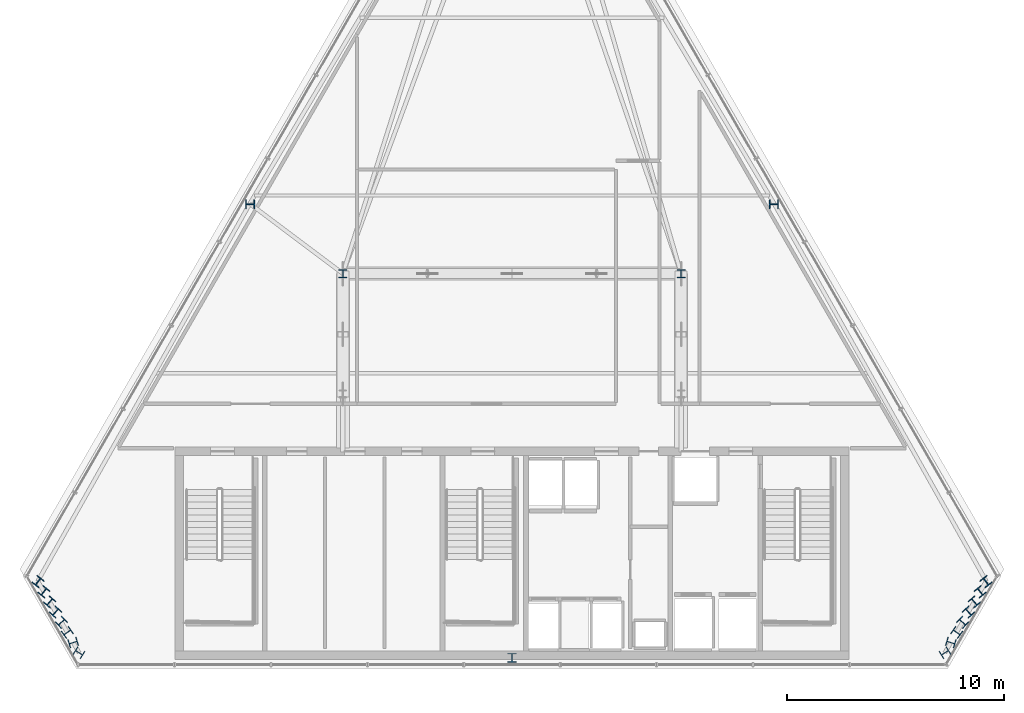
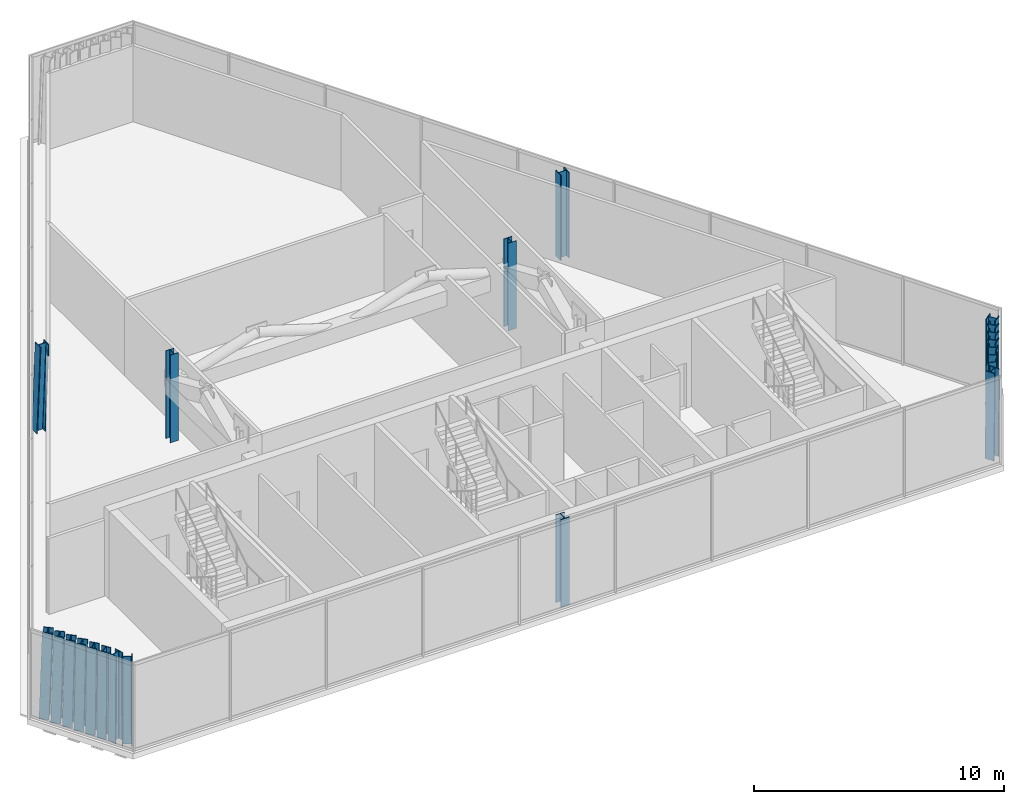
# One storey, part 1 of 32: 21 columns.
"""IFC4 building model written with IfcOpenShell, lengths in metres."""

from ifc_helpers import new_model, si_unit, direction, frame, origin, origin_2d, place, context, subcontext, project, spatial, i_section, extrude, material, material_profile, profile_set, type_object, element, save


model = new_model("IFC4")

# Units and contexts
model_context = context("Model", 3, precision=1e-05, world=origin(), true_north=direction((0.0, 1.0)))
body_context = subcontext(model_context, "Body", "Model", "MODEL_VIEW")
ifc_project = project(units=[si_unit("LENGTHUNIT", "METRE"), si_unit("AREAUNIT", "SQUARE_METRE"), si_unit("VOLUMEUNIT", "CUBIC_METRE"), si_unit("PLANEANGLEUNIT", "RADIAN"), si_unit("MASSUNIT", "GRAM", prefix="KILO")], contexts=[model_context])

# Site, building, storey
site_placement = place(None, origin())
site = spatial("IfcSite", under=ifc_project, at=site_placement, CompositionType="ELEMENT")
building_placement = place(site_placement, origin())
building = spatial("IfcBuilding", under=site, at=building_placement, Name="Ndaravel Arena Tower", CompositionType="ELEMENT")
storey_placement = place(building_placement, frame((0.0, 0.0, 278.800048828125)))
storey = spatial("IfcBuildingStorey", under=building, at=storey_placement, Name="L68", CompositionType="ELEMENT", Elevation=278.800048828125)

# Columns
ifc_material_1 = material(Name="Steel S355", Category="steel")
ifc_material_profile_1 = material_profile(ifc_material_1, i_section(OverallWidth=0.374755859375, OverallDepth=0.37451171875, WebThickness=0.0166015625, FlangeThickness=0.027099609375, FilletRadius=0.01513671875, at=origin_2d()), Name="UC 356x368x202")
ifc_profile_set_1 = profile_set([ifc_material_profile_1], Name="Steel S355")
column_type_1 = type_object("IfcColumnType", Name="COL-CRN-UC202", PredefinedType="COLUMN", material=ifc_profile_set_1)
for number, where, z_axis, x_axis, name in (
    (1, (34.199951171875, 23.199951171875, 0.0), (0.0, 0.0, 1.0), (1.0, 0.0, 0.0), "L68 Interior Spine Column IC-01"),
    (2, (49.800048828125, 23.199951171875, 0.0), (0.0, 0.0, 1.0), (1.0, 0.0, 0.0), "L68 Interior Spine Column IC-02"),
):
    element("IfcColumn", number, at=place(storey_placement, frame(where, z_axis=z_axis, x_axis=x_axis)), inside=storey, type_object=column_type_1, Name=name, PredefinedType="COLUMN", context=body_context, shape_type="SweptSolid", body=[
        extrude(i_section(OverallWidth=0.374755859375, OverallDepth=0.37451171875, WebThickness=0.0166015625, FlangeThickness=0.027099609375, FilletRadius=0.01513671875, at=origin_2d()), origin(), (0.0, 0.0, 1.0), 4.280029296875),
    ])
ifc_material_2 = material(Name="Steel S355", Category="steel")
ifc_material_profile_2 = material_profile(ifc_material_2, i_section(OverallWidth=0.406005859375, OverallDepth=0.416015625, WebThickness=0.02978515625, FlangeThickness=0.03662109375, FilletRadius=0.014892578125, at=origin_2d()), Name="HD 400x382")
ifc_profile_set_2 = profile_set([ifc_material_profile_2], Name="Steel S355")
column_type_2 = type_object("IfcColumnType", Name="COL-TUBE-HD382", PredefinedType="COLUMN", material=ifc_profile_set_2)
for number, where, z_axis, x_axis, name in (
    (3, (42.0, 5.47998046875, 0.0), (0.0, 0.0, 1.0), (1.0, 0.0, 0.0), "L68 Framed Tube Column TC-01"),
    (4, (61.962646484375, 5.7158203125, 0.0), (0.004278085588, -0.002281645647, 0.999988245969), (-0.52883696279, 0.848713046821, 0.004198921572), "L68 Framed Tube Column TC-02"),
    (5, (62.23486328125, 6.187255859375, 0.0), (0.001597131273, -0.006844848314, 0.999975298307), (0.290138846226, 0.956965201994, 0.006087042185), "L68 Framed Tube Column TC-03"),
):
    element("IfcColumn", number, at=place(storey_placement, frame(where, z_axis=z_axis, x_axis=x_axis)), inside=storey, type_object=column_type_2, Name=name, PredefinedType="COLUMN", context=body_context, shape_type="SweptSolid", body=[
        extrude(i_section(OverallWidth=0.406005859375, OverallDepth=0.416015625, WebThickness=0.02978515625, FlangeThickness=0.03662109375, FilletRadius=0.014892578125, at=origin_2d()), origin(), (0.0, 0.0, 1.0), 4.280029296875),
    ])
column_1_placement = place(storey_placement, frame((62.507080078125, 6.65869140625, 0.0), z_axis=(-0.001026685925, -0.011350583283, 0.999935052979), x_axis=(0.575977456439, 0.817405989888, 0.009870023741)))
element("IfcColumn", 6, at=column_1_placement, inside=storey, type_object=column_type_2, Name="L68 Framed Tube Column TC-04", PredefinedType="COLUMN", context=body_context, shape_type="SweptSolid", body=[
    extrude(i_section(OverallWidth=0.406005859375, OverallDepth=0.416015625, WebThickness=0.02978515625, FlangeThickness=0.03662109375, FilletRadius=0.014892578125, at=origin_2d()), origin(), (0.0, 0.0, 1.0), 4.2802734375),
])
column_2_placement = place(storey_placement, frame((62.779296875, 7.130126953125, 0.0), z_axis=(-0.0036501894, -0.015912544417, 0.999866724643), x_axis=(0.680945649523, 0.732197461537, 0.014138589546)))
element("IfcColumn", 7, at=column_2_placement, inside=storey, type_object=column_type_2, Name="L68 Framed Tube Column TC-05", PredefinedType="COLUMN", context=body_context, shape_type="SweptSolid", body=[
    extrude(i_section(OverallWidth=0.406005859375, OverallDepth=0.416015625, WebThickness=0.02978515625, FlangeThickness=0.03662109375, FilletRadius=0.014892578125, at=origin_2d()), origin(), (0.0, 0.0, 1.0), 4.280517578125),
])
column_3_placement = place(storey_placement, frame((63.051513671875, 7.6015625, 0.0), z_axis=(-0.006273160636, -0.020473315165, 0.999770719126), x_axis=(0.731716934346, 0.681356328296, 0.018544052515)))
element("IfcColumn", 8, at=column_3_placement, inside=storey, type_object=column_type_2, Name="L68 Framed Tube Column TC-06", PredefinedType="COLUMN", context=body_context, shape_type="SweptSolid", body=[
    extrude(i_section(OverallWidth=0.406005859375, OverallDepth=0.416015625, WebThickness=0.02978515625, FlangeThickness=0.03662109375, FilletRadius=0.014892578125, at=origin_2d()), origin(), (0.0, 0.0, 1.0), 4.281005859375),
])
column_4_placement = place(storey_placement, frame((63.32373046875, 8.072998046875, 0.0), z_axis=(-0.008895381976, -0.025032517226, 0.999647060347), x_axis=(0.761015295136, 0.648325847483, 0.023006869721)))
element("IfcColumn", 9, at=column_4_placement, inside=storey, type_object=column_type_2, Name="L68 Framed Tube Column TC-07", PredefinedType="COLUMN", context=body_context, shape_type="SweptSolid", body=[
    extrude(i_section(OverallWidth=0.406005859375, OverallDepth=0.416015625, WebThickness=0.02978515625, FlangeThickness=0.03662109375, FilletRadius=0.014892578125, at=origin_2d()), origin(), (0.0, 0.0, 1.0), 4.281494140625),
])
column_5_placement = place(storey_placement, frame((63.595947265625, 8.544677734375, 0.0), z_axis=(-0.011573641527, -0.02958975346, 0.999495121205), x_axis=(0.780950492539, 0.623986539268, 0.027515941125)))
element("IfcColumn", 10, at=column_5_placement, inside=storey, type_object=column_type_2, Name="L68 Framed Tube Column TC-08", PredefinedType="COLUMN", context=body_context, shape_type="SweptSolid", body=[
    extrude(i_section(OverallWidth=0.406005859375, OverallDepth=0.416015625, WebThickness=0.02978515625, FlangeThickness=0.03662109375, FilletRadius=0.014892578125, at=origin_2d()), origin(), (0.0, 0.0, 1.0), 4.2822265625),
])
for number, where, z_axis, x_axis, name in (
    (11, (63.8681640625, 9.01611328125, 0.0), (-0.014193697474, -0.03414467786, 0.999316106108), (0.793893602427, 0.607212860511, 0.032023273655), "L68 Framed Tube Column TC-09"),
    (12, (54.0908203125, 26.422119140625, 0.0), (-0.018241236752, -0.031580141128, 0.999334754708), (-8.7888243e-05, 0.999501103677, 0.031583793691), "L68 Framed Tube Column TC-10"),
    (13, (29.9091796875, 26.422119140625, 0.0), (0.018241236752, -0.031580141128, 0.999334754708), (8.7888243e-05, 0.999501103677, 0.031583793691), "L68 Framed Tube Column TC-19"),
    (14, (20.1318359375, 9.01611328125, 0.0), (0.014193697474, -0.03414467786, 0.999316106108), (-0.793893602427, 0.607212860511, 0.032023273655), "L68 Framed Tube Column TC-20"),
):
    element("IfcColumn", number, at=place(storey_placement, frame(where, z_axis=z_axis, x_axis=x_axis)), inside=storey, type_object=column_type_2, Name=name, PredefinedType="COLUMN", context=body_context, shape_type="SweptSolid", body=[
        extrude(i_section(OverallWidth=0.406005859375, OverallDepth=0.416015625, WebThickness=0.02978515625, FlangeThickness=0.03662109375, FilletRadius=0.014892578125, at=origin_2d()), origin(), (0.0, 0.0, 1.0), 4.282958984375),
    ])
column_6_placement = place(storey_placement, frame((20.404052734375, 8.544677734375, 0.0), z_axis=(0.011573641527, -0.02958975346, 0.999495121205), x_axis=(-0.780950492539, 0.623986539268, 0.027515941125)))
element("IfcColumn", 15, at=column_6_placement, inside=storey, type_object=column_type_2, Name="L68 Framed Tube Column TC-21", PredefinedType="COLUMN", context=body_context, shape_type="SweptSolid", body=[
    extrude(i_section(OverallWidth=0.406005859375, OverallDepth=0.416015625, WebThickness=0.02978515625, FlangeThickness=0.03662109375, FilletRadius=0.014892578125, at=origin_2d()), origin(), (0.0, 0.0, 1.0), 4.2822265625),
])
column_7_placement = place(storey_placement, frame((20.67626953125, 8.072998046875, 0.0), z_axis=(0.008895381976, -0.025032517226, 0.999647060347), x_axis=(-0.761015295136, 0.648325847483, 0.023006869721)))
element("IfcColumn", 16, at=column_7_placement, inside=storey, type_object=column_type_2, Name="L68 Framed Tube Column TC-22", PredefinedType="COLUMN", context=body_context, shape_type="SweptSolid", body=[
    extrude(i_section(OverallWidth=0.406005859375, OverallDepth=0.416015625, WebThickness=0.02978515625, FlangeThickness=0.03662109375, FilletRadius=0.014892578125, at=origin_2d()), origin(), (0.0, 0.0, 1.0), 4.281494140625),
])
column_8_placement = place(storey_placement, frame((20.948486328125, 7.6015625, 0.0), z_axis=(0.006273160636, -0.020473315165, 0.999770719126), x_axis=(-0.731716934346, 0.681356328296, 0.018544052515)))
element("IfcColumn", 17, at=column_8_placement, inside=storey, type_object=column_type_2, Name="L68 Framed Tube Column TC-23", PredefinedType="COLUMN", context=body_context, shape_type="SweptSolid", body=[
    extrude(i_section(OverallWidth=0.406005859375, OverallDepth=0.416015625, WebThickness=0.02978515625, FlangeThickness=0.03662109375, FilletRadius=0.014892578125, at=origin_2d()), origin(), (0.0, 0.0, 1.0), 4.281005859375),
])
column_9_placement = place(storey_placement, frame((21.220703125, 7.130126953125, 0.0), z_axis=(0.0036501894, -0.015912544417, 0.999866724643), x_axis=(-0.680945649523, 0.732197461537, 0.014138589546)))
element("IfcColumn", 18, at=column_9_placement, inside=storey, type_object=column_type_2, Name="L68 Framed Tube Column TC-24", PredefinedType="COLUMN", context=body_context, shape_type="SweptSolid", body=[
    extrude(i_section(OverallWidth=0.406005859375, OverallDepth=0.416015625, WebThickness=0.02978515625, FlangeThickness=0.03662109375, FilletRadius=0.014892578125, at=origin_2d()), origin(), (0.0, 0.0, 1.0), 4.280517578125),
])
column_10_placement = place(storey_placement, frame((21.492919921875, 6.65869140625, 0.0), z_axis=(0.001026685925, -0.011350583283, 0.999935052979), x_axis=(-0.575977456439, 0.817405989888, 0.009870023741)))
element("IfcColumn", 19, at=column_10_placement, inside=storey, type_object=column_type_2, Name="L68 Framed Tube Column TC-25", PredefinedType="COLUMN", context=body_context, shape_type="SweptSolid", body=[
    extrude(i_section(OverallWidth=0.406005859375, OverallDepth=0.416015625, WebThickness=0.02978515625, FlangeThickness=0.03662109375, FilletRadius=0.014892578125, at=origin_2d()), origin(), (0.0, 0.0, 1.0), 4.2802734375),
])
for number, where, z_axis, x_axis, name in (
    (20, (21.76513671875, 6.187255859375, 0.0), (-0.001597131273, -0.006844848314, 0.999975298307), (-0.290138846226, 0.956965201994, 0.006087042185), "L68 Framed Tube Column TC-26"),
    (21, (22.037353515625, 5.7158203125, 0.0), (-0.004278085588, -0.002281645647, 0.999988245969), (0.52883696279, 0.848713046821, 0.004198921572), "L68 Framed Tube Column TC-27"),
):
    element("IfcColumn", number, at=place(storey_placement, frame(where, z_axis=z_axis, x_axis=x_axis)), inside=storey, type_object=column_type_2, Name=name, PredefinedType="COLUMN", context=body_context, shape_type="SweptSolid", body=[
        extrude(i_section(OverallWidth=0.406005859375, OverallDepth=0.416015625, WebThickness=0.02978515625, FlangeThickness=0.03662109375, FilletRadius=0.014892578125, at=origin_2d()), origin(), (0.0, 0.0, 1.0), 4.280029296875),
    ])

save(model, "model.ifc")
